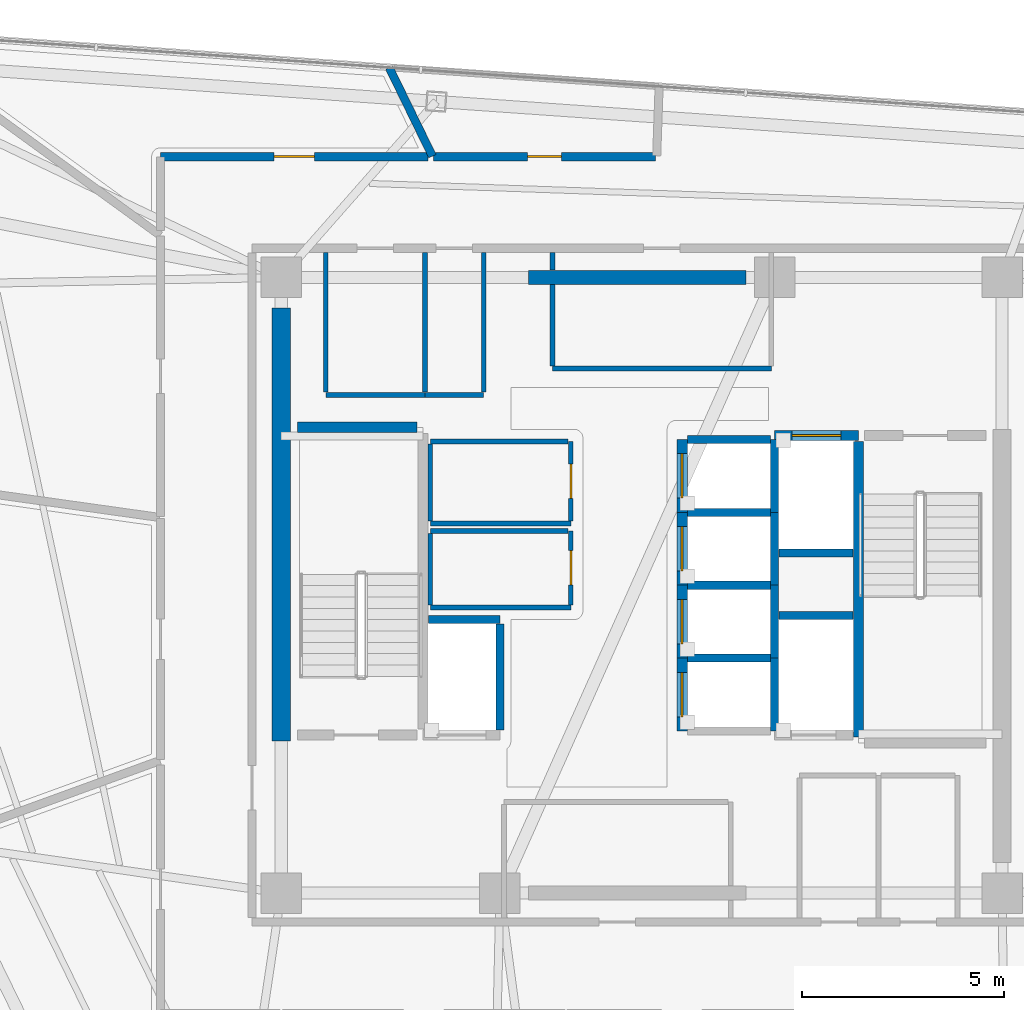
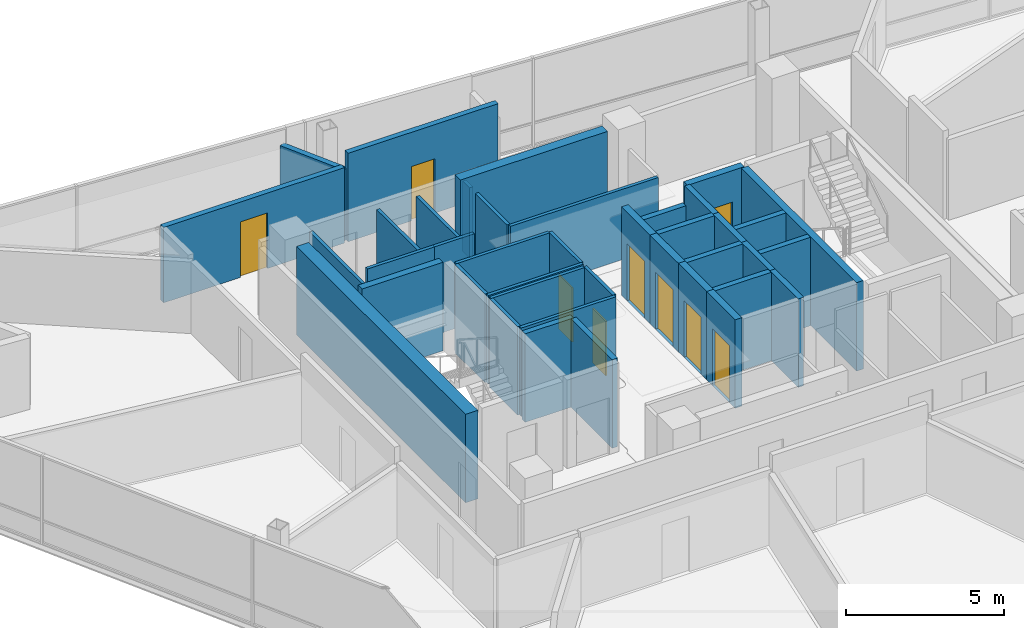
# One storey, part 10 of 14: 40 walls, 9 doors, 9 openings.
"""IFC4 building model written with IfcOpenShell, lengths in metres."""

from ifc_helpers import new_model, si_unit, direction, frame, frame_2d, origin, place, context, subcontext, project, spatial, rectangle, extrude, material, layer, layer_set, type_object, element, fill, save


model = new_model("IFC4")

# Units and contexts
model_context = context("Model", 3, precision=1e-05, world=origin(), true_north=direction((0.0, 1.0)))
body_context = subcontext(model_context, "Body", "Model", "MODEL_VIEW")
ifc_project = project(units=[si_unit("LENGTHUNIT", "METRE"), si_unit("AREAUNIT", "SQUARE_METRE"), si_unit("VOLUMEUNIT", "CUBIC_METRE"), si_unit("PLANEANGLEUNIT", "RADIAN"), si_unit("MASSUNIT", "GRAM", prefix="KILO")], contexts=[model_context])

# Site, building, storey
site_placement = place(None, origin())
site = spatial("IfcSite", under=ifc_project, at=site_placement, CompositionType="ELEMENT")
building_placement = place(site_placement, origin())
building = spatial("IfcBuilding", under=site, at=building_placement, Name="Tharavind Bronze Gate", CompositionType="ELEMENT")
storey_placement = place(building_placement, frame((0.0, 0.0, 237.85009765625)))
storey = spatial("IfcBuildingStorey", under=building, at=storey_placement, Name="L61", CompositionType="ELEMENT", Elevation=237.85009765625)

# Wall, opening, door
ifc_material_1 = material(Name="Aerated Concrete Block", Category="concrete")
ifc_layer_1 = layer(ifc_material_1, 0.199951171875)
ifc_layer_set_1 = layer_set([ifc_layer_1], Name="Aerated Concrete Block")
wall_type_1 = type_object("IfcWallType", Name="FIRE RATED PARTITION 200", PredefinedType="PARTITIONING", material=ifc_layer_set_1)
wall_1_placement = place(storey_placement, frame((0.34521484375, 10.580078125, 0.0), z_axis=(0.0, 0.0, 1.0), x_axis=(-1.0, 0.0, 0.0)))
wall_1 = element("IfcWall", 1, at=wall_1_placement, inside=storey, type_object=wall_type_1, Name="L61 Accessible Toilet partition", PredefinedType="PARTITIONING", context=body_context, shape_type="SweptSolid", body=[
    extrude(rectangle(XDim=5.48974609375, YDim=0.199951171875, at=frame_2d((2.744873046875, 0.0))), origin(), (0.0, 0.0, 1.0), 3.419921875),
])
opening_1_placement = place(wall_1_placement, frame((2.320068359375, 0.0, 0.0)))
opening_1 = element("IfcOpeningElement", 2, at=opening_1_placement, cuts=wall_1, Name="Opening ID06", PredefinedType="OPENING", context=body_context, shape_type="SweptSolid", body=[
    extrude(rectangle(XDim=0.85009765625, YDim=2.10009765625, at=frame_2d((0.425048828125, 1.050048828125))), frame((0.0, 0.11009765625, 0.0), z_axis=(0.0, -1.0, 0.0), x_axis=(1.0, 0.0, 0.0)), (0.0, 0.0, 1.0), 0.219951171875),
])
ifc_material_2 = material(Name="Moisture-Resistant Timber", Category="wood")
door_type_1 = type_object("IfcDoorType", Name="BATHROOM PRIVACY DOOR 850X2100", OperationType="SINGLE_SWING_RIGHT", PredefinedType="DOOR", material=ifc_material_2)
door_1_placement = place(opening_1_placement, origin())
door_1 = element("IfcDoor", 3, at=door_1_placement, inside=storey, type_object=door_type_1, Name="L61 Accessible Toilet door", OperationType="SINGLE_SWING_RIGHT", OverallHeight=2.10009765625, OverallWidth=0.85009765625, PredefinedType="DOOR", context=body_context, shape_type="SweptSolid", body=[
    extrude(rectangle(XDim=0.85009765625, YDim=2.10009765625, at=frame_2d((0.425048828125, 1.050048828125))), frame((0.0, 0.02490234375, 0.0), z_axis=(0.0, -1.0, 0.0), x_axis=(1.0, 0.0, 0.0)), (0.0, 0.0, 1.0), 0.050048828125),
])
fill(opening_1, door_1)

# Wall
wall_2_placement = place(storey_placement, frame((-5.1669921875, 10.593994140625, 0.0), z_axis=(0.0, 0.0, 1.0), x_axis=(-0.43834839389, 0.898805143273, 0.0)))
element("IfcWall", 4, at=wall_2_placement, inside=storey, type_object=wall_type_1, Name="L61 Accessible Toilet partition", PredefinedType="PARTITIONING", context=body_context, shape_type="SweptSolid", body=[
    extrude(rectangle(XDim=2.429443359375, YDim=0.199951171875, at=frame_2d((1.21484375, 0.0))), origin(), (0.0, 0.0, 1.0), 2.764892578125),
])

# Wall, opening, door
wall_3_placement = place(storey_placement, frame((-5.277099609375, 10.580078125, 0.0), z_axis=(0.0, 0.0, 1.0), x_axis=(-1.0, 0.0, 0.0)))
wall_3 = element("IfcWall", 5, at=wall_3_placement, inside=storey, type_object=wall_type_1, Name="L61 Advisory Office 2 partition", PredefinedType="PARTITIONING", context=body_context, shape_type="SweptSolid", body=[
    extrude(rectangle(XDim=6.602294921875, YDim=0.199951171875, at=frame_2d((3.30126953125, 0.0))), origin(), (0.0, 0.0, 1.0), 2.914794921875),
])
opening_2_placement = place(wall_3_placement, frame((2.801025390625, 0.0, 0.0)))
opening_2 = element("IfcOpeningElement", 6, at=opening_2_placement, cuts=wall_3, Name="Opening ID04", PredefinedType="OPENING", context=body_context, shape_type="SweptSolid", body=[
    extrude(rectangle(XDim=1.0, YDim=2.14990234375, at=frame_2d((0.5, 1.074951171875))), frame((0.0, 0.11009765625, 0.0), z_axis=(0.0, -1.0, 0.0), x_axis=(1.0, 0.0, 0.0)), (0.0, 0.0, 1.0), 0.219951171875),
])
ifc_material_3 = material(Name="Bronze Framed Acoustic Timber", Category="wood")
door_type_2 = type_object("IfcDoorType", Name="OFFICE TENANCY DOOR 1000X2150", OperationType="SINGLE_SWING_RIGHT", PredefinedType="DOOR", material=ifc_material_3)
door_2_placement = place(opening_2_placement, origin())
door_2 = element("IfcDoor", 7, at=door_2_placement, inside=storey, type_object=door_type_2, Name="L61 Advisory Office 2 door", OperationType="SINGLE_SWING_RIGHT", OverallHeight=2.14990234375, OverallWidth=1.0, PredefinedType="DOOR", context=body_context, shape_type="SweptSolid", body=[
    extrude(rectangle(XDim=1.0, YDim=2.14990234375, at=frame_2d((0.5, 1.074951171875))), frame((0.0, 0.02490234375, 0.0), z_axis=(0.0, -1.0, 0.0), x_axis=(1.0, 0.0, 0.0)), (0.0, 0.0, 1.0), 0.050048828125),
])
fill(opening_2, door_2)

# Wall
ifc_material_4 = material(Name="Metal Stud Gypsum Partition", Category="gypsum")
ifc_layer_2 = layer(ifc_material_4, 0.1201171875)
ifc_layer_set_2 = layer_set([ifc_layer_2], Name="Metal Stud Gypsum Partition")
wall_type_2 = type_object("IfcWallType", Name="INTERIOR PARTITION WALL 120", PredefinedType="PARTITIONING", material=ifc_layer_set_2)
wall_4_placement = place(storey_placement, frame((-5.219970703125, 1.52001953125, 0.0), z_axis=(0.0, 0.0, 1.0), x_axis=(1.0, 0.0, 0.0)))
element("IfcWall", 8, at=wall_4_placement, inside=storey, type_object=wall_type_2, Name="L61 Cleaner Store Room partition 1", PredefinedType="PARTITIONING", context=body_context, shape_type="SweptSolid", body=[
    extrude(rectangle(XDim=3.469970703125, YDim=0.1201171875, at=frame_2d((1.73486328125, 0.0))), origin(), (0.0, 0.0, 1.0), 3.419921875),
])

# Wall, opening, door
wall_5_placement = place(storey_placement, frame((-1.75, 1.5849609375, 0.0), z_axis=(0.0, 0.0, 1.0), x_axis=(0.0, 1.0, 0.0)))
wall_5 = element("IfcWall", 9, at=wall_5_placement, inside=storey, type_object=wall_type_2, Name="L61 Cleaner Store Room partition 2", PredefinedType="PARTITIONING", context=body_context, shape_type="SweptSolid", body=[
    extrude(rectangle(XDim=1.965087890625, YDim=0.1201171875, at=frame_2d((0.982421875, 0.0))), origin(), (0.0, 0.0, 1.0), 3.419921875),
])
opening_3_placement = place(wall_5_placement, frame((0.556884765625, 0.0, 0.0)))
opening_3 = element("IfcOpeningElement", 10, at=opening_3_placement, cuts=wall_5, Name="Opening ID06", PredefinedType="OPENING", context=body_context, shape_type="SweptSolid", body=[
    extrude(rectangle(XDim=0.85009765625, YDim=2.10009765625, at=frame_2d((0.425048828125, 1.050048828125))), frame((0.0, 0.07005859375, 0.0), z_axis=(0.0, -1.0, 0.0), x_axis=(1.0, 0.0, 0.0)), (0.0, 0.0, 1.0), 0.1401171875),
])
door_3_placement = place(opening_3_placement, frame((0.85009765625, 0.0, 0.0), z_axis=(0.0, 0.0, 1.0), x_axis=(-1.0, 0.0, 0.0)))
door_3 = element("IfcDoor", 11, at=door_3_placement, inside=storey, type_object=door_type_1, Name="L61 Cleaner Store Room door", OperationType="SINGLE_SWING_RIGHT", OverallHeight=2.10009765625, OverallWidth=0.85009765625, PredefinedType="DOOR", context=body_context, shape_type="SweptSolid", body=[
    extrude(rectangle(XDim=0.85009765625, YDim=2.10009765625, at=frame_2d((0.425048828125, 1.050048828125))), frame((0.0, 0.02490234375, 0.0), z_axis=(0.0, -1.0, 0.0), x_axis=(1.0, 0.0, 0.0)), (0.0, 0.0, 1.0), 0.050048828125),
])
fill(opening_3, door_3)

# Walls
wall_6_placement = place(storey_placement, frame((-1.81494140625, 3.550048828125, 0.0), z_axis=(0.0, 0.0, 1.0), x_axis=(-1.0, 0.0, 0.0)))
element("IfcWall", 12, at=wall_6_placement, inside=storey, type_object=wall_type_2, Name="L61 Cleaner Store Room partition 3", PredefinedType="PARTITIONING", context=body_context, shape_type="SweptSolid", body=[
    extrude(rectangle(XDim=3.405029296875, YDim=0.1201171875, at=frame_2d((1.70263671875, 0.0))), origin(), (0.0, 0.0, 1.0), 3.419921875),
])
wall_7_placement = place(storey_placement, frame((-5.219970703125, 3.485107421875, 0.0), z_axis=(0.0, 0.0, 1.0), x_axis=(0.0, -1.0, 0.0)))
element("IfcWall", 13, at=wall_7_placement, inside=storey, type_object=wall_type_2, Name="L61 Cleaner Store Room partition 4", PredefinedType="PARTITIONING", context=body_context, shape_type="SweptSolid", body=[
    extrude(rectangle(XDim=1.900146484375, YDim=0.1201171875, at=frame_2d((0.9501953125, 0.0))), origin(), (0.0, 0.0, 1.0), 3.419921875),
])
wall_8_placement = place(storey_placement, frame((-5.219970703125, -0.550048828125, 0.0), z_axis=(0.0, 0.0, 1.0), x_axis=(1.0, 0.0, 0.0)))
element("IfcWall", 14, at=wall_8_placement, inside=storey, type_object=wall_type_2, Name="L61 Electrical Switch Room partition 1", PredefinedType="PARTITIONING", context=body_context, shape_type="SweptSolid", body=[
    extrude(rectangle(XDim=3.469970703125, YDim=0.1201171875, at=frame_2d((1.73486328125, 0.0))), origin(), (0.0, 0.0, 1.0), 3.419921875),
])

# Wall, opening, door
wall_9_placement = place(storey_placement, frame((-1.75, -0.485107421875, 0.0), z_axis=(0.0, 0.0, 1.0), x_axis=(0.0, 1.0, 0.0)))
wall_9 = element("IfcWall", 15, at=wall_9_placement, inside=storey, type_object=wall_type_2, Name="L61 Electrical Switch Room partition 2", PredefinedType="PARTITIONING", context=body_context, shape_type="SweptSolid", body=[
    extrude(rectangle(XDim=1.8251953125, YDim=0.1201171875, at=frame_2d((0.91259765625, 0.0))), origin(), (0.0, 0.0, 1.0), 3.419921875),
])
opening_4_placement = place(wall_9_placement, frame((0.488037109375, 0.0, 0.0)))
opening_4 = element("IfcOpeningElement", 16, at=opening_4_placement, cuts=wall_9, Name="Opening ID06", PredefinedType="OPENING", context=body_context, shape_type="SweptSolid", body=[
    extrude(rectangle(XDim=0.85009765625, YDim=2.10009765625, at=frame_2d((0.425048828125, 1.050048828125))), frame((0.0, 0.07005859375, 0.0), z_axis=(0.0, -1.0, 0.0), x_axis=(1.0, 0.0, 0.0)), (0.0, 0.0, 1.0), 0.1401171875),
])
door_4_placement = place(opening_4_placement, frame((0.85009765625, 0.0, 0.0), z_axis=(0.0, 0.0, 1.0), x_axis=(-1.0, 0.0, 0.0)))
door_4 = element("IfcDoor", 17, at=door_4_placement, inside=storey, type_object=door_type_1, Name="L61 Electrical Switch Room door", OperationType="SINGLE_SWING_RIGHT", OverallHeight=2.10009765625, OverallWidth=0.85009765625, PredefinedType="DOOR", context=body_context, shape_type="SweptSolid", body=[
    extrude(rectangle(XDim=0.85009765625, YDim=2.10009765625, at=frame_2d((0.425048828125, 1.050048828125))), frame((0.0, 0.02490234375, 0.0), z_axis=(0.0, -1.0, 0.0), x_axis=(1.0, 0.0, 0.0)), (0.0, 0.0, 1.0), 0.050048828125),
])
fill(opening_4, door_4)

# Walls
wall_10_placement = place(storey_placement, frame((-1.81494140625, 1.340087890625, 0.0), z_axis=(0.0, 0.0, 1.0), x_axis=(-1.0, 0.0, 0.0)))
element("IfcWall", 18, at=wall_10_placement, inside=storey, type_object=wall_type_2, Name="L61 Electrical Switch Room partition 3", PredefinedType="PARTITIONING", context=body_context, shape_type="SweptSolid", body=[
    extrude(rectangle(XDim=3.405029296875, YDim=0.1201171875, at=frame_2d((1.70263671875, 0.0))), origin(), (0.0, 0.0, 1.0), 3.419921875),
])
wall_11_placement = place(storey_placement, frame((-5.219970703125, 1.27490234375, 0.0), z_axis=(0.0, 0.0, 1.0), x_axis=(0.0, -1.0, 0.0)))
element("IfcWall", 19, at=wall_11_placement, inside=storey, type_object=wall_type_2, Name="L61 Electrical Switch Room partition 4", PredefinedType="PARTITIONING", context=body_context, shape_type="SweptSolid", body=[
    extrude(rectangle(XDim=1.760009765625, YDim=0.1201171875, at=frame_2d((0.8798828125, 0.0))), origin(), (0.0, 0.0, 1.0), 3.419921875),
])
wall_12_placement = place(storey_placement, frame((-2.199951171875, 5.35009765625, 0.0), z_axis=(0.0, 0.0, 1.0), x_axis=(1.0, 0.0, 0.0)))
element("IfcWall", 20, at=wall_12_placement, inside=storey, type_object=wall_type_2, Name="L61 Core Avionics Room partition 1", PredefinedType="PARTITIONING", context=body_context, shape_type="SweptSolid", body=[
    extrude(rectangle(XDim=5.39990234375, YDim=0.1201171875, at=frame_2d((2.699951171875, 0.0))), origin(), (0.0, 0.0, 1.0), 2.71484375),
])
wall_13_placement = place(storey_placement, frame((-2.199951171875, 8.215087890625, 0.0), z_axis=(0.0, 0.0, 1.0), x_axis=(0.0, -1.0, 0.0)))
element("IfcWall", 21, at=wall_13_placement, inside=storey, type_object=wall_type_2, Name="L61 Core Avionics Room partition 4", PredefinedType="PARTITIONING", context=body_context, shape_type="SweptSolid", body=[
    extrude(rectangle(XDim=0.43505859375, YDim=0.1201171875, at=frame_2d((0.217529296875, 0.0))), origin(), (0.0, 0.0, 1.0), 2.71484375),
])
wall_14_placement = place(storey_placement, frame((-2.199951171875, 7.419921875, 0.0), z_axis=(0.0, 0.0, 1.0), x_axis=(0.0, -1.0, 0.0)))
element("IfcWall", 22, at=wall_14_placement, inside=storey, type_object=wall_type_2, Name="L61 Core Avionics Room partition 4", PredefinedType="PARTITIONING", context=body_context, shape_type="SweptSolid", body=[
    extrude(rectangle(XDim=2.0048828125, YDim=0.1201171875, at=frame_2d((1.00244140625, 0.0))), origin(), (0.0, 0.0, 1.0), 2.71484375),
])
wall_15_placement = place(storey_placement, frame((-7.800048828125, 4.699951171875, 0.0), z_axis=(0.0, 0.0, 1.0), x_axis=(1.0, 0.0, 0.0)))
element("IfcWall", 23, at=wall_15_placement, inside=storey, type_object=wall_type_2, Name="L61 Electrical Metering Room partition 1", PredefinedType="PARTITIONING", context=body_context, shape_type="SweptSolid", body=[
    extrude(rectangle(XDim=2.449951171875, YDim=0.1201171875, at=frame_2d((1.22509765625, 0.0))), origin(), (0.0, 0.0, 1.0), 3.419921875),
])
for number, where, z_axis, x_axis, name in (
    (24, (-5.35009765625, 4.764892578125, 0.0), (0.0, 0.0, 1.0), (0.0, 1.0, 0.0), "L61 Electrical Metering Room partition 2"),
    (25, (-7.800048828125, 8.215087890625, 0.0), (0.0, 0.0, 1.0), (0.0, -1.0, 0.0), "L61 Electrical Metering Room partition 4"),
):
    element("IfcWall", number, at=place(storey_placement, frame(where, z_axis=z_axis, x_axis=x_axis)), inside=storey, type_object=wall_type_2, Name=name, PredefinedType="PARTITIONING", context=body_context, shape_type="SweptSolid", body=[
        extrude(rectangle(XDim=3.4501953125, YDim=0.1201171875, at=frame_2d((1.72509765625, 0.0))), origin(), (0.0, 0.0, 1.0), 2.71484375),
    ])
wall_16_placement = place(storey_placement, frame((-5.35009765625, 4.699951171875, 0.0), z_axis=(0.0, 0.0, 1.0), x_axis=(1.0, 0.0, 0.0)))
element("IfcWall", 26, at=wall_16_placement, inside=storey, type_object=wall_type_2, Name="L61 Linen Cupboard partition 1", PredefinedType="PARTITIONING", context=body_context, shape_type="SweptSolid", body=[
    extrude(rectangle(XDim=1.4501953125, YDim=0.1201171875, at=frame_2d((0.72509765625, 0.0))), origin(), (0.0, 0.0, 1.0), 3.419921875),
])
wall_17_placement = place(storey_placement, frame((-3.89990234375, 4.764892578125, 0.0), z_axis=(0.0, 0.0, 1.0), x_axis=(0.0, 1.0, 0.0)))
element("IfcWall", 27, at=wall_17_placement, inside=storey, type_object=wall_type_2, Name="L61 Linen Cupboard partition 2", PredefinedType="PARTITIONING", context=body_context, shape_type="SweptSolid", body=[
    extrude(rectangle(XDim=3.4501953125, YDim=0.1201171875, at=frame_2d((1.72509765625, 0.0))), origin(), (0.0, 0.0, 1.0), 2.71484375),
])
ifc_material_5 = material(Name="Concrete C50/60", Category="concrete")
ifc_layer_3 = layer(ifc_material_5, 0.25)
ifc_layer_set_3 = layer_set([ifc_layer_3], Name="Concrete C50/60")
wall_type_3 = type_object("IfcWallType", Name="RC CORE SHEAR WALL 250", PredefinedType="SHEAR", material=ifc_layer_set_3)
wall_18_placement = place(storey_placement, frame((-8.5, 3.89990234375, 0.0), z_axis=(0.0, 0.0, 1.0), x_axis=(1.0, 0.0, 0.0)))
element("IfcWall", 28, at=wall_18_placement, inside=storey, type_object=wall_type_3, Name="L61 ST1 shaft north wall", PredefinedType="SHEAR", context=body_context, shape_type="SweptSolid", body=[
    extrude(rectangle(XDim=2.949951171875, YDim=0.25, at=frame_2d((1.47509765625, 0.0))), origin(), (0.0, 0.0, 1.0), 3.419921875),
])
wall_19_placement = place(storey_placement, frame((5.35009765625, -3.75, 0.0), z_axis=(0.0, 0.0, 1.0), x_axis=(0.0, 1.0, 0.0)))
element("IfcWall", 29, at=wall_19_placement, inside=storey, type_object=wall_type_3, Name="L61 ST2 shaft west wall", PredefinedType="SHEAR", context=body_context, shape_type="SweptSolid", body=[
    extrude(rectangle(XDim=7.300048828125, YDim=0.25, at=frame_2d((3.64990234375, 0.0))), origin(), (0.0, 0.0, 1.0), 3.419921875),
])

# Wall, opening, door
wall_20_placement = place(storey_placement, frame((1.0, -3.60009765625, 0.0), z_axis=(0.0, 0.0, 1.0), x_axis=(0.0, 1.0, 0.0)))
wall_20 = element("IfcWall", 30, at=wall_20_placement, inside=storey, type_object=wall_type_3, Name="L61 lift PL9 shaft front wall", PredefinedType="SHEAR", context=body_context, shape_type="SweptSolid", body=[
    extrude(rectangle(XDim=1.800048828125, YDim=0.25, at=frame_2d((0.89990234375, 0.0))), origin(), (0.0, 0.0, 1.0), 3.419921875),
])
opening_5_placement = place(wall_20_placement, frame((0.35009765625, 0.0, 0.0)))
opening_5 = element("IfcOpeningElement", 31, at=opening_5_placement, cuts=wall_20, Name="Opening LD01", PredefinedType="OPENING", context=body_context, shape_type="SweptSolid", body=[
    extrude(rectangle(XDim=1.10009765625, YDim=2.199951171875, at=frame_2d((0.550048828125, 1.10009765625))), frame((0.0, 0.135, 0.0), z_axis=(0.0, -1.0, 0.0), x_axis=(1.0, 0.0, 0.0)), (0.0, 0.0, 1.0), 0.27),
])
ifc_material_6 = material(Name="Brushed Bronze Stainless Steel", Category="steel")
door_type_3 = type_object("IfcDoorType", Name="LIFT LANDING SLIDING DOOR 1100X2200", OperationType="SLIDING_TO_LEFT", PredefinedType="DOOR", material=ifc_material_6)
door_5_placement = place(opening_5_placement, origin())
door_5 = element("IfcDoor", 32, at=door_5_placement, inside=storey, type_object=door_type_3, Name="L61 lift PL9 sliding landing door", OperationType="SLIDING_TO_LEFT", OverallHeight=2.199951171875, OverallWidth=1.10009765625, PredefinedType="DOOR", context=body_context, shape_type="SweptSolid", body=[
    extrude(rectangle(XDim=1.10009765625, YDim=2.199951171875, at=frame_2d((0.550048828125, 1.10009765625))), frame((0.0, 0.02490234375, 0.0), z_axis=(0.0, -1.0, 0.0), x_axis=(1.0, 0.0, 0.0)), (0.0, 0.0, 1.0), 0.050048828125),
])
fill(opening_5, door_5)

wall_21_placement = place(storey_placement, frame((1.0, -1.800048828125, 0.0), z_axis=(0.0, 0.0, 1.0), x_axis=(0.0, 1.0, 0.0)))
wall_21 = element("IfcWall", 33, at=wall_21_placement, inside=storey, type_object=wall_type_3, Name="L61 lift PL10 shaft front wall", PredefinedType="SHEAR", context=body_context, shape_type="SweptSolid", body=[
    extrude(rectangle(XDim=1.800048828125, YDim=0.25, at=frame_2d((0.89990234375, 0.0))), origin(), (0.0, 0.0, 1.0), 3.419921875),
])
opening_6_placement = place(wall_21_placement, frame((0.35009765625, 0.0, 0.0)))
opening_6 = element("IfcOpeningElement", 34, at=opening_6_placement, cuts=wall_21, Name="Opening LD01", PredefinedType="OPENING", context=body_context, shape_type="SweptSolid", body=[
    extrude(rectangle(XDim=1.10009765625, YDim=2.199951171875, at=frame_2d((0.550048828125, 1.10009765625))), frame((0.0, 0.135, 0.0), z_axis=(0.0, -1.0, 0.0), x_axis=(1.0, 0.0, 0.0)), (0.0, 0.0, 1.0), 0.27),
])
door_6_placement = place(opening_6_placement, origin())
door_6 = element("IfcDoor", 35, at=door_6_placement, inside=storey, type_object=door_type_3, Name="L61 lift PL10 sliding landing door", OperationType="SLIDING_TO_LEFT", OverallHeight=2.199951171875, OverallWidth=1.10009765625, PredefinedType="DOOR", context=body_context, shape_type="SweptSolid", body=[
    extrude(rectangle(XDim=1.10009765625, YDim=2.199951171875, at=frame_2d((0.550048828125, 1.10009765625))), frame((0.0, 0.02490234375, 0.0), z_axis=(0.0, -1.0, 0.0), x_axis=(1.0, 0.0, 0.0)), (0.0, 0.0, 1.0), 0.050048828125),
])
fill(opening_6, door_6)

wall_22_placement = place(storey_placement, frame((1.0, 0.0, 0.0), z_axis=(0.0, 0.0, 1.0), x_axis=(0.0, 1.0, 0.0)))
wall_22 = element("IfcWall", 36, at=wall_22_placement, inside=storey, type_object=wall_type_3, Name="L61 lift PL11 shaft front wall", PredefinedType="SHEAR", context=body_context, shape_type="SweptSolid", body=[
    extrude(rectangle(XDim=1.800048828125, YDim=0.25, at=frame_2d((0.89990234375, 0.0))), origin(), (0.0, 0.0, 1.0), 3.419921875),
])
opening_7_placement = place(wall_22_placement, frame((0.35009765625, 0.0, 0.0)))
opening_7 = element("IfcOpeningElement", 37, at=opening_7_placement, cuts=wall_22, Name="Opening LD01", PredefinedType="OPENING", context=body_context, shape_type="SweptSolid", body=[
    extrude(rectangle(XDim=1.10009765625, YDim=2.199951171875, at=frame_2d((0.550048828125, 1.10009765625))), frame((0.0, 0.135, 0.0), z_axis=(0.0, -1.0, 0.0), x_axis=(1.0, 0.0, 0.0)), (0.0, 0.0, 1.0), 0.27),
])
door_7_placement = place(opening_7_placement, origin())
door_7 = element("IfcDoor", 38, at=door_7_placement, inside=storey, type_object=door_type_3, Name="L61 lift PL11 sliding landing door", OperationType="SLIDING_TO_LEFT", OverallHeight=2.199951171875, OverallWidth=1.10009765625, PredefinedType="DOOR", context=body_context, shape_type="SweptSolid", body=[
    extrude(rectangle(XDim=1.10009765625, YDim=2.199951171875, at=frame_2d((0.550048828125, 1.10009765625))), frame((0.0, 0.02490234375, 0.0), z_axis=(0.0, -1.0, 0.0), x_axis=(1.0, 0.0, 0.0)), (0.0, 0.0, 1.0), 0.050048828125),
])
fill(opening_7, door_7)

wall_23_placement = place(storey_placement, frame((1.0, 1.800048828125, 0.0), z_axis=(0.0, 0.0, 1.0), x_axis=(0.0, 1.0, 0.0)))
wall_23 = element("IfcWall", 39, at=wall_23_placement, inside=storey, type_object=wall_type_3, Name="L61 lift PL12 shaft front wall", PredefinedType="SHEAR", context=body_context, shape_type="SweptSolid", body=[
    extrude(rectangle(XDim=1.800048828125, YDim=0.25, at=frame_2d((0.89990234375, 0.0))), origin(), (0.0, 0.0, 1.0), 3.419921875),
])
opening_8_placement = place(wall_23_placement, frame((0.35009765625, 0.0, 0.0)))
opening_8 = element("IfcOpeningElement", 40, at=opening_8_placement, cuts=wall_23, Name="Opening LD01", PredefinedType="OPENING", context=body_context, shape_type="SweptSolid", body=[
    extrude(rectangle(XDim=1.10009765625, YDim=2.199951171875, at=frame_2d((0.550048828125, 1.10009765625))), frame((0.0, 0.135, 0.0), z_axis=(0.0, -1.0, 0.0), x_axis=(1.0, 0.0, 0.0)), (0.0, 0.0, 1.0), 0.27),
])
door_8_placement = place(opening_8_placement, origin())
door_8 = element("IfcDoor", 41, at=door_8_placement, inside=storey, type_object=door_type_3, Name="L61 lift PL12 sliding landing door", OperationType="SLIDING_TO_LEFT", OverallHeight=2.199951171875, OverallWidth=1.10009765625, PredefinedType="DOOR", context=body_context, shape_type="SweptSolid", body=[
    extrude(rectangle(XDim=1.10009765625, YDim=2.199951171875, at=frame_2d((0.550048828125, 1.10009765625))), frame((0.0, 0.02490234375, 0.0), z_axis=(0.0, -1.0, 0.0), x_axis=(1.0, 0.0, 0.0)), (0.0, 0.0, 1.0), 0.050048828125),
])
fill(opening_8, door_8)

wall_24_placement = place(storey_placement, frame((3.280029296875, 3.699951171875, 0.0), z_axis=(0.0, 0.0, 1.0), x_axis=(1.0, 0.0, 0.0)))
wall_24 = element("IfcWall", 42, at=wall_24_placement, inside=storey, type_object=wall_type_3, Name="L61 lift FFL2 shaft front wall", PredefinedType="SHEAR", context=body_context, shape_type="SweptSolid", body=[
    extrude(rectangle(XDim=2.070068359375, YDim=0.25, at=frame_2d((1.03515625, 0.0))), origin(), (0.0, 0.0, 1.0), 3.419921875),
])
opening_9_placement = place(wall_24_placement, frame((0.43505859375, 0.0, 0.0)))
opening_9 = element("IfcOpeningElement", 43, at=opening_9_placement, cuts=wall_24, Name="Opening LD02", PredefinedType="OPENING", context=body_context, shape_type="SweptSolid", body=[
    extrude(rectangle(XDim=1.199951171875, YDim=2.199951171875, at=frame_2d((0.60009765625, 1.10009765625))), frame((0.0, 0.135, 0.0), z_axis=(0.0, -1.0, 0.0), x_axis=(1.0, 0.0, 0.0)), (0.0, 0.0, 1.0), 0.27),
])
ifc_material_7 = material(Name="Brushed Stainless Steel", Category="steel")
door_type_4 = type_object("IfcDoorType", Name="FIREFIGHTING LIFT LANDING DOOR 1200X2200", OperationType="SLIDING_TO_RIGHT", PredefinedType="DOOR", material=ifc_material_7)
door_9_placement = place(opening_9_placement, origin())
door_9 = element("IfcDoor", 44, at=door_9_placement, inside=storey, type_object=door_type_4, Name="L61 lift FFL2 sliding landing door", OperationType="SLIDING_TO_RIGHT", OverallHeight=2.199951171875, OverallWidth=1.199951171875, PredefinedType="DOOR", context=body_context, shape_type="SweptSolid", body=[
    extrude(rectangle(XDim=1.199951171875, YDim=2.199951171875, at=frame_2d((0.60009765625, 1.10009765625))), frame((0.0, 0.02490234375, 0.0), z_axis=(0.0, -1.0, 0.0), x_axis=(1.0, 0.0, 0.0)), (0.0, 0.0, 1.0), 0.050048828125),
])
fill(opening_9, door_9)

# Walls
ifc_layer_4 = layer(ifc_material_5, 0.35009765625)
ifc_layer_set_4 = layer_set([ifc_layer_4], Name="Concrete C50/60")
wall_type_4 = type_object("IfcWallType", Name="RC CORE SHEAR WALL 350", PredefinedType="SHEAR", material=ifc_layer_set_4)
wall_25_placement = place(storey_placement, frame((-2.800048828125, 7.60009765625, 0.0), z_axis=(0.0, 0.0, 1.0), x_axis=(1.0, 0.0, 0.0)))
element("IfcWall", 45, at=wall_25_placement, inside=storey, type_object=wall_type_4, Name="L61 north core shear wall", PredefinedType="SHEAR", context=body_context, shape_type="SweptSolid", body=[
    extrude(rectangle(XDim=5.380126953125, YDim=0.35009765625, at=frame_2d((2.68994140625, 0.0))), origin(), (0.0, 0.0, 1.0), 3.419921875),
])
ifc_material_8 = material(Name="Concrete C60/75", Category="concrete")
ifc_layer_5 = layer(ifc_material_8, 0.449951171875)
ifc_layer_set_5 = layer_set([ifc_layer_5], Name="Concrete C60/75")
wall_type_5 = type_object("IfcWallType", Name="RC CORE SHEAR WALL 450", PredefinedType="SHEAR", material=ifc_layer_set_5)
wall_26_placement = place(storey_placement, frame((-8.89990234375, -3.85009765625, 0.0), z_axis=(0.0, 0.0, 1.0), x_axis=(0.0, 1.0, 0.0)))
element("IfcWall", 46, at=wall_26_placement, inside=storey, type_object=wall_type_5, Name="L61 west core shear wall", PredefinedType="SHEAR", context=body_context, shape_type="SweptSolid", body=[
    extrude(rectangle(XDim=10.7001953125, YDim=0.449951171875, at=frame_2d((5.35009765625, 0.0))), origin(), (0.0, 0.0, 1.0), 3.419921875),
])
ifc_material_9 = material(Name="Concrete C40/50", Category="concrete")
ifc_layer_6 = layer(ifc_material_9, 0.199951171875)
ifc_layer_set_6 = layer_set([ifc_layer_6], Name="Concrete C40/50")
wall_type_6 = type_object("IfcWallType", Name="SHAFT ENCLOSURE WALL 200", PredefinedType="PARTITIONING", material=ifc_layer_set_6)
wall_27_placement = place(storey_placement, frame((3.280029296875, -3.60009765625, 0.0), z_axis=(0.0, 0.0, 1.0), x_axis=(0.0, 1.0, 0.0)))
element("IfcWall", 47, at=wall_27_placement, inside=storey, type_object=wall_type_6, Name="L61 lift PL9 shaft E enclosure wall", PredefinedType="PARTITIONING", context=body_context, shape_type="SweptSolid", body=[
    extrude(rectangle(XDim=1.800048828125, YDim=0.199951171875, at=frame_2d((0.89990234375, 0.0))), origin(), (0.0, 0.0, 1.0), 3.419921875),
])
wall_28_placement = place(storey_placement, frame((1.1298828125, -1.800048828125, 0.0), z_axis=(0.0, 0.0, 1.0), x_axis=(1.0, 0.0, 0.0)))
element("IfcWall", 48, at=wall_28_placement, inside=storey, type_object=wall_type_6, Name="L61 lift PL9 shaft N enclosure wall", PredefinedType="PARTITIONING", context=body_context, shape_type="SweptSolid", body=[
    extrude(rectangle(XDim=2.045166015625, YDim=0.199951171875, at=frame_2d((1.0224609375, 0.0))), origin(), (0.0, 0.0, 1.0), 3.419921875),
])
wall_29_placement = place(storey_placement, frame((3.280029296875, -1.800048828125, 0.0), z_axis=(0.0, 0.0, 1.0), x_axis=(0.0, 1.0, 0.0)))
element("IfcWall", 49, at=wall_29_placement, inside=storey, type_object=wall_type_6, Name="L61 lift PL10 shaft E enclosure wall", PredefinedType="PARTITIONING", context=body_context, shape_type="SweptSolid", body=[
    extrude(rectangle(XDim=1.800048828125, YDim=0.199951171875, at=frame_2d((0.89990234375, 0.0))), origin(), (0.0, 0.0, 1.0), 3.419921875),
])
wall_30_placement = place(storey_placement, frame((1.1298828125, 0.0, 0.0), z_axis=(0.0, 0.0, 1.0), x_axis=(1.0, 0.0, 0.0)))
element("IfcWall", 50, at=wall_30_placement, inside=storey, type_object=wall_type_6, Name="L61 lift PL10 shaft N enclosure wall", PredefinedType="PARTITIONING", context=body_context, shape_type="SweptSolid", body=[
    extrude(rectangle(XDim=2.045166015625, YDim=0.199951171875, at=frame_2d((1.0224609375, 0.0))), origin(), (0.0, 0.0, 1.0), 3.419921875),
])
wall_31_placement = place(storey_placement, frame((3.280029296875, 0.0, 0.0), z_axis=(0.0, 0.0, 1.0), x_axis=(0.0, 1.0, 0.0)))
element("IfcWall", 51, at=wall_31_placement, inside=storey, type_object=wall_type_6, Name="L61 lift PL11 shaft E enclosure wall", PredefinedType="PARTITIONING", context=body_context, shape_type="SweptSolid", body=[
    extrude(rectangle(XDim=1.800048828125, YDim=0.199951171875, at=frame_2d((0.89990234375, 0.0))), origin(), (0.0, 0.0, 1.0), 3.419921875),
])
wall_32_placement = place(storey_placement, frame((1.1298828125, 1.800048828125, 0.0), z_axis=(0.0, 0.0, 1.0), x_axis=(1.0, 0.0, 0.0)))
element("IfcWall", 52, at=wall_32_placement, inside=storey, type_object=wall_type_6, Name="L61 lift PL11 shaft N enclosure wall", PredefinedType="PARTITIONING", context=body_context, shape_type="SweptSolid", body=[
    extrude(rectangle(XDim=2.045166015625, YDim=0.199951171875, at=frame_2d((1.0224609375, 0.0))), origin(), (0.0, 0.0, 1.0), 3.419921875),
])
wall_33_placement = place(storey_placement, frame((3.280029296875, 1.800048828125, 0.0), z_axis=(0.0, 0.0, 1.0), x_axis=(0.0, 1.0, 0.0)))
element("IfcWall", 53, at=wall_33_placement, inside=storey, type_object=wall_type_6, Name="L61 lift PL12 shaft E enclosure wall", PredefinedType="PARTITIONING", context=body_context, shape_type="SweptSolid", body=[
    extrude(rectangle(XDim=1.800048828125, YDim=0.199951171875, at=frame_2d((0.89990234375, 0.0))), origin(), (0.0, 0.0, 1.0), 3.419921875),
])
wall_34_placement = place(storey_placement, frame((1.1298828125, 3.60009765625, 0.0), z_axis=(0.0, 0.0, 1.0), x_axis=(1.0, 0.0, 0.0)))
element("IfcWall", 54, at=wall_34_placement, inside=storey, type_object=wall_type_6, Name="L61 lift PL12 shaft N enclosure wall", PredefinedType="PARTITIONING", context=body_context, shape_type="SweptSolid", body=[
    extrude(rectangle(XDim=2.045166015625, YDim=0.199951171875, at=frame_2d((1.0224609375, 0.0))), origin(), (0.0, 0.0, 1.0), 2.71484375),
])
wall_35_placement = place(storey_placement, frame((-5.27001953125, -0.85009765625, 0.0), z_axis=(0.0, 0.0, 1.0), x_axis=(1.0, 0.0, 0.0)))
element("IfcWall", 55, at=wall_35_placement, inside=storey, type_object=wall_type_6, Name="L61 lift FFL1 shaft N enclosure wall", PredefinedType="PARTITIONING", context=body_context, shape_type="SweptSolid", body=[
    extrude(rectangle(XDim=1.77001953125, YDim=0.199951171875, at=frame_2d((0.885009765625, 0.0))), origin(), (0.0, 0.0, 1.0), 3.419921875),
])
wall_36_placement = place(storey_placement, frame((-3.5, -3.570068359375, 0.0), z_axis=(0.0, 0.0, 1.0), x_axis=(0.0, 1.0, 0.0)))
element("IfcWall", 56, at=wall_36_placement, inside=storey, type_object=wall_type_6, Name="L61 lift FFL1 shaft E enclosure wall", PredefinedType="PARTITIONING", context=body_context, shape_type="SweptSolid", body=[
    extrude(rectangle(XDim=2.614990234375, YDim=0.199951171875, at=frame_2d((1.3076171875, 0.0))), origin(), (0.0, 0.0, 1.0), 3.419921875),
])
for number, where, z_axis, x_axis, name in (
    (57, (3.385009765625, 0.800048828125, 0.0), (0.0, 0.0, 1.0), (1.0, 0.0, 0.0), "L61 lift FFL2 shaft S enclosure wall"),
    (58, (3.385009765625, -0.75, 0.0), (0.0, 0.0, 1.0), (1.0, 0.0, 0.0), "L61 lift SVL1 shaft N enclosure wall"),
):
    element("IfcWall", number, at=place(storey_placement, frame(where, z_axis=z_axis, x_axis=x_axis)), inside=storey, type_object=wall_type_6, Name=name, PredefinedType="PARTITIONING", context=body_context, shape_type="SweptSolid", body=[
        extrude(rectangle(XDim=1.8349609375, YDim=0.199951171875, at=frame_2d((0.91748046875, 0.0))), origin(), (0.0, 0.0, 1.0), 3.419921875),
    ])

save(model, "model.ifc")
